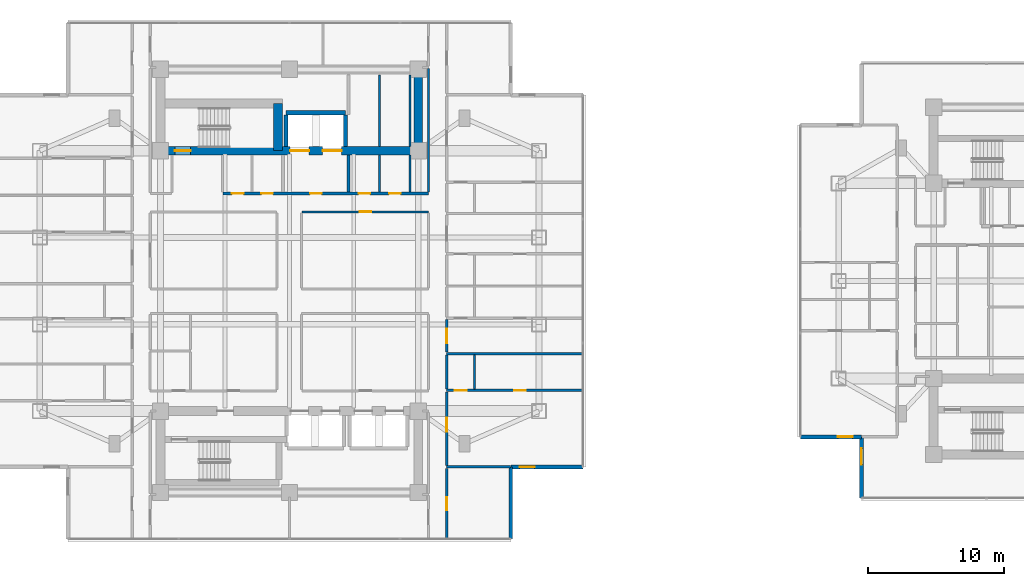
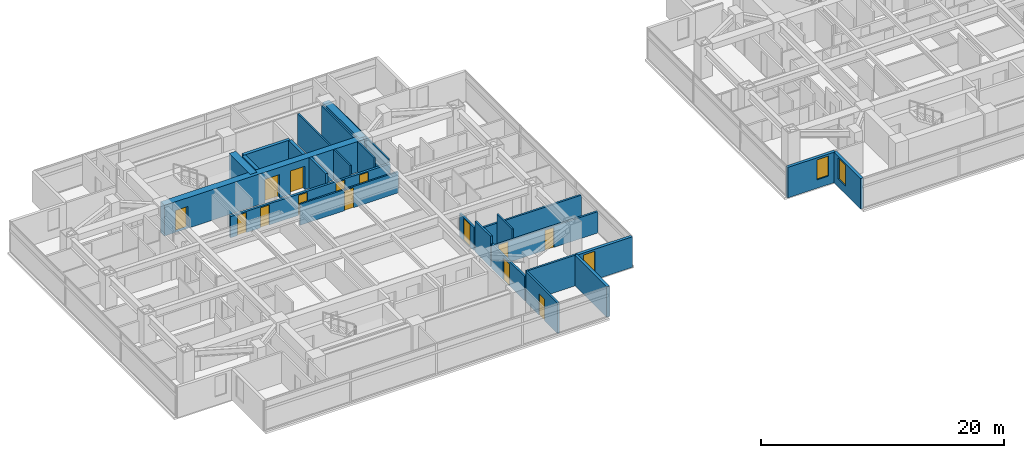
# One storey, part 14 of 25: 26 walls, 14 doors, 3 windows, 17 openings.
"""IFC4 building model written with IfcOpenShell, lengths in metres."""

import ifcopenshell
import ifcopenshell.guid

model = None  # the IFC model being written
_history = None  # IfcOwnerHistory: only IFC2X3 demands one
_inside = {}  # id of a spatial element -> (the spatial element, [elements in it])
_under = {}  # id of a project, library or spatial element -> (it, [spatial elements below it])
_declared = {}  # id of a project -> (the project, [libraries it declares])
_typed = {}  # id of a type object -> (the type object, [elements of that type])
_made_of = {}  # id of a material, layer set ... -> (it, [elements and type objects made of it])


def new_model(schema):
    """Start an empty IFC model of exactly this schema.

    Asked for "IFC4X3", IfcOpenShell would pick the latest addendum, in which some entities
    have other attributes; the version numbers below select the first issue.
    IFC2X3 requires an IfcOwnerHistory on every rooted entity: one is made here for all.
    """
    global model, _history
    if schema == "IFC4X3":
        model = ifcopenshell.file(schema_version=(4, 3, 0, 0))
    else:
        model = ifcopenshell.file(schema=schema)
    _inside.clear()
    _under.clear()
    _declared.clear()
    _typed.clear()
    _made_of.clear()
    _history = None
    if model.schema == "IFC2X3":
        org = make("IfcOrganization", Name="unknown")
        user = make(
            "IfcPersonAndOrganization",
            ThePerson=make("IfcPerson", FamilyName="unknown"),
            TheOrganization=org,
        )
        app = make(
            "IfcApplication",
            ApplicationDeveloper=org,
            Version="unknown",
            ApplicationFullName="unknown",
            ApplicationIdentifier="unknown",
        )
        _history = make(
            "IfcOwnerHistory",
            OwningUser=user,
            OwningApplication=app,
            ChangeAction="ADDED",
            CreationDate=0,
        )
    return model


def make(cls, **values):
    """One entity of the class cls with the attributes given. An attribute that is None is left unset."""
    return model.create_entity(
        cls, **{name: value for name, value in values.items() if value is not None}
    )


def rooted(cls, **values):
    """An entity with a GlobalId (a new one), such as an element, a storey or a relation."""
    return make(cls, GlobalId=ifcopenshell.guid.new(), OwnerHistory=_history, **values)


def si_unit(unit_type, name, prefix=None):
    """IfcSIUnit, for example si_unit("LENGTHUNIT", "METRE", prefix="MILLI")."""
    return make("IfcSIUnit", UnitType=unit_type, Prefix=prefix, Name=name)


def assignment(units):
    """IfcUnitAssignment: the units of a project."""
    return None if units is None else make("IfcUnitAssignment", Units=units)


def point(xyz):
    """IfcCartesianPoint."""
    return None if xyz is None else make("IfcCartesianPoint", Coordinates=xyz)


def direction(xyz):
    """IfcDirection."""
    return None if xyz is None else make("IfcDirection", DirectionRatios=xyz)


def frame(location, z_axis=None, x_axis=None):
    """IfcAxis2Placement3D, a coordinate frame: its origin and axes. An axis left out is left unset."""
    return make(
        "IfcAxis2Placement3D",
        Location=point(location),
        Axis=direction(z_axis),
        RefDirection=direction(x_axis),
    )


def frame_2d(location, x_axis=None):
    """IfcAxis2Placement2D, a coordinate frame in the plane: its origin and x axis."""
    return make(
        "IfcAxis2Placement2D", Location=point(location), RefDirection=direction(x_axis)
    )


def origin():
    """The frame at (0, 0, 0) with its axes left unset."""
    return frame((0.0, 0.0, 0.0))


def place(relative_to, where):
    """IfcLocalPlacement: puts the frame where relative to a parent placement (None: the world)."""
    return make(
        "IfcLocalPlacement", PlacementRelTo=relative_to, RelativePlacement=where
    )


def context(
    kind, dimensions, precision=None, world=None, true_north=None, identifier=None
):
    """IfcGeometricRepresentationContext, for example the 3D "Model" context."""
    return make(
        "IfcGeometricRepresentationContext",
        ContextIdentifier=identifier,
        ContextType=kind,
        CoordinateSpaceDimension=dimensions,
        Precision=precision,
        WorldCoordinateSystem=world,
        TrueNorth=true_north,
    )


def subcontext(parent, identifier, kind, view, scale=None):
    """IfcGeometricRepresentationSubContext, for example "Body" below "Model"."""
    return make(
        "IfcGeometricRepresentationSubContext",
        ContextIdentifier=identifier,
        ContextType=kind,
        ParentContext=parent,
        TargetScale=scale,
        TargetView=view,
    )


def project(units=None, contexts=None):
    """IfcProject with its units and contexts."""
    return rooted(
        "IfcProject",
        Name="project",
        RepresentationContexts=contexts,
        UnitsInContext=assignment(units),
    )


def spatial(cls, under=None, at=None, **own):
    """A site, building, storey or space (cls), placed at a placement, below another one or the project."""
    s = rooted(cls, ObjectPlacement=at, **own)
    if under is not None:
        _under.setdefault(under.id(), (under, []))[1].append(s)
    return s


def profile(cls, at=None, kind="AREA", **sizes):
    """A parametric profile (cls). Its sizes go by their IFC names, for example OverallWidth=200.0."""
    return make(cls, ProfileType=kind, Position=at, **sizes)


def rectangle(**sizes):
    """IfcRectangleProfileDef."""
    return profile("IfcRectangleProfileDef", **sizes)


def extrude(swept, where, along, depth):
    """IfcExtrudedAreaSolid: the profile swept, set in the frame where, extruded along a direction by depth."""
    return make(
        "IfcExtrudedAreaSolid",
        SweptArea=swept,
        Position=where,
        ExtrudedDirection=direction(along),
        Depth=depth,
    )


def shape(context_of_items, identifier, shape_type, items):
    """IfcShapeRepresentation: the items that make up one representation, for example the "Body"."""
    return make(
        "IfcShapeRepresentation",
        ContextOfItems=context_of_items,
        RepresentationIdentifier=identifier,
        RepresentationType=shape_type,
        Items=items,
    )


def material(Name=None, Category=None):
    """IfcMaterial."""
    return make("IfcMaterial", Name=Name, Category=Category)


def layer(
    of_material, thickness, ventilated=None, Name=None, Category=None, Priority=None
):
    """IfcMaterialLayer: one layer of a wall or slab, of a material (None: an air gap)."""
    return make(
        "IfcMaterialLayer",
        Material=of_material,
        LayerThickness=thickness,
        IsVentilated=ventilated,
        Name=Name,
        Category=Category,
        Priority=Priority,
    )


def layer_set(layers, Name=None):
    """IfcMaterialLayerSet."""
    return make("IfcMaterialLayerSet", MaterialLayers=layers, LayerSetName=Name)


def made_of(thing, what):
    """Note that an element or type object is made of a material, layer set ...; save() writes the relation."""
    if what is not None:
        _made_of.setdefault(what.id(), (what, []))[1].append(thing)
    return thing


def type_object(cls, material=None, **own):
    """A type object (cls), such as IfcWallType, which elements share."""
    return made_of(rooted(cls, **own), material)


def element(
    cls,
    number,
    at=None,
    inside=None,
    cuts=None,
    type_object=None,
    material=None,
    context=None,
    identifier="Body",
    shape_type=None,
    held_by="IfcProductDefinitionShape",
    body=None,
    shapes=None,
    **own,
):
    """One element of the class cls, such as IfcWall. Its Tag is "e" and its number.

    at: its placement. inside: the storey or other place that contains it. cuts: it is an
    opening in that element (IfcRelVoidsElement). A single representation is given by context,
    identifier, shape_type and body (its items); several are given by shapes. held_by: the class
    of the entity that holds the representations. save() writes the other relations.
    """
    e = rooted(cls, Tag="e%d" % number, ObjectPlacement=at, **own)
    if body is not None:
        shapes = [shape(context, identifier, shape_type, body)]
    if shapes is not None:
        e.Representation = make(held_by, Representations=shapes)
    if inside is not None:
        _inside.setdefault(inside.id(), (inside, []))[1].append(e)
    if cuts is not None:
        rooted(
            "IfcRelVoidsElement", RelatingBuildingElement=cuts, RelatedOpeningElement=e
        )
    if type_object is not None:
        _typed.setdefault(type_object.id(), (type_object, []))[1].append(e)
    return made_of(e, material)


def fill(opening, filler):
    """IfcRelFillsElement: the door or window that sits in an opening."""
    return rooted(
        "IfcRelFillsElement",
        RelatingOpeningElement=opening,
        RelatedBuildingElement=filler,
    )


def aggregate(whole, parts):
    """IfcRelAggregates: a whole, such as a stair, and the parts it consists of."""
    return rooted("IfcRelAggregates", RelatingObject=whole, RelatedObjects=parts)


def save(model, path):
    """Write the relations noted so far, then the file.

    IfcRelAggregates (storeys below a building ...), IfcRelContainedInSpatialStructure (elements
    in a storey), IfcRelDefinesByType, IfcRelAssociatesMaterial and IfcRelDeclares: one each for
    every whole, place, type object, material and project.
    """
    for whole, parts in _under.values():
        aggregate(whole, parts)
    for where, things in _inside.values():
        rooted(
            "IfcRelContainedInSpatialStructure",
            RelatedElements=things,
            RelatingStructure=where,
        )
    for kind, things in _typed.values():
        rooted("IfcRelDefinesByType", RelatedObjects=things, RelatingType=kind)
    for what, things in _made_of.values():
        rooted("IfcRelAssociatesMaterial", RelatedObjects=things, RelatingMaterial=what)
    for by, libraries in _declared.values():
        rooted("IfcRelDeclares", RelatingContext=by, RelatedDefinitions=libraries)
    model.write(path)


model = new_model("IFC4")

# Units and contexts
model_context = context("Model", 3, precision=1e-05, world=origin(), true_north=direction((0.0, 1.0)))
body_context = subcontext(model_context, "Body", "Model", "MODEL_VIEW")
ifc_project = project(units=[si_unit("LENGTHUNIT", "METRE"), si_unit("AREAUNIT", "SQUARE_METRE"), si_unit("VOLUMEUNIT", "CUBIC_METRE"), si_unit("PLANEANGLEUNIT", "RADIAN"), si_unit("MASSUNIT", "GRAM", prefix="KILO")], contexts=[model_context])

# Site, building, storey
site_placement = place(None, origin())
site = spatial("IfcSite", under=ifc_project, at=site_placement, CompositionType="ELEMENT")
building_placement = place(site_placement, origin())
building = spatial("IfcBuilding", under=site, at=building_placement, Name="Mirazonda Arch Towers", CompositionType="ELEMENT")
storey_placement = place(building_placement, frame((0.0, 0.0, 104.89990234375)))
storey = spatial("IfcBuildingStorey", under=building, at=storey_placement, Name="L29", CompositionType="ELEMENT", Elevation=104.89990234375)

# Wall
ifc_material_1 = material(Name="Concrete C60/75", Category="concrete")
ifc_layer_1 = layer(ifc_material_1, 0.64990234375, Name="WALL-CORE-650")
ifc_layer_set_1 = layer_set([ifc_layer_1], Name="Concrete C60/75")
wall_type_1 = type_object("IfcWallType", Name="WALL-CORE-650", PredefinedType="SHEAR", material=ifc_layer_set_1)
wall_1_placement = place(storey_placement, frame((30.0, 37.60009765625, 0.0), z_axis=(0.0, 0.0, 1.0), x_axis=(0.0, 1.0, 0.0)))
element("IfcWall", 1, at=wall_1_placement, inside=storey, type_object=wall_type_1, Name="L29 T1N-E Core Shear Wall", PredefinedType="SHEAR", context=body_context, shape_type="SweptSolid", body=[
    extrude(rectangle(XDim=6.0, YDim=0.64990234375, at=frame_2d((3.0, 0.0))), origin(), (0.0, 0.0, 1.0), 3.080078125),
])

# Wall, openings, doors
wall_2_placement = place(storey_placement, frame((11.0, 37.60009765625, 0.0), z_axis=(0.0, 0.0, 1.0), x_axis=(1.0, 0.0, 0.0)))
wall_2 = element("IfcWall", 2, at=wall_2_placement, inside=storey, type_object=wall_type_1, Name="L29 T1N-S Core Shear Wall", PredefinedType="SHEAR", context=body_context, shape_type="SweptSolid", body=[
    extrude(rectangle(XDim=19.0, YDim=0.64990234375, at=frame_2d((9.5, 0.0))), origin(), (0.0, 0.0, 1.0), 3.080078125),
])
opening_1_placement = place(wall_2_placement, frame((1.06005859375, 0.0, 0.0)))
opening_1 = element("IfcOpeningElement", 3, at=opening_1_placement, cuts=wall_2, Name="Opening DR-135", PredefinedType="OPENING", context=body_context, shape_type="SweptSolid", body=[
    extrude(rectangle(XDim=1.14990234375, YDim=2.199951171875, at=frame_2d((0.574951171875, 1.10009765625))), frame((0.0, 0.3349609375, 0.0), z_axis=(0.0, -1.0, 0.0), x_axis=(1.0, 0.0, 0.0)), (0.0, 0.0, 1.0), 0.669921875),
])
opening_2_placement = place(wall_2_placement, frame((9.550048828125, 0.0, 0.0)))
opening_2 = element("IfcOpeningElement", 4, at=opening_2_placement, cuts=wall_2, Name="Opening LD-112", PredefinedType="OPENING", context=body_context, shape_type="SweptSolid", body=[
    extrude(rectangle(XDim=1.39990234375, YDim=2.35009765625, at=frame_2d((0.699951171875, 1.175048828125))), frame((0.0, 0.3349609375, 0.0), z_axis=(0.0, -1.0, 0.0), x_axis=(1.0, 0.0, 0.0)), (0.0, 0.0, 1.0), 0.669921875),
])
opening_3_placement = place(wall_2_placement, frame((11.949951171875, 0.0, 0.0)))
opening_3 = element("IfcOpeningElement", 5, at=opening_3_placement, cuts=wall_2, Name="Opening LD-112", PredefinedType="OPENING", context=body_context, shape_type="SweptSolid", body=[
    extrude(rectangle(XDim=1.39990234375, YDim=2.35009765625, at=frame_2d((0.699951171875, 1.175048828125))), frame((0.0, 0.3349609375, 0.0), z_axis=(0.0, -1.0, 0.0), x_axis=(1.0, 0.0, 0.0)), (0.0, 0.0, 1.0), 0.669921875),
])
ifc_material_2 = material(Name="Architectural Brushed Steel S355", Category="steel")
door_type_1 = type_object("IfcDoorType", Name="DOOR-LIFT-FFL-1400", OperationType="NOTDEFINED", PredefinedType="DOOR", material=ifc_material_2)
door_1_placement = place(opening_2_placement, origin())
door_1 = element("IfcDoor", 6, at=door_1_placement, inside=storey, type_object=door_type_1, Name="L29 Lift Landing Sliding Door FFL-T1", OperationType="DOUBLE_DOOR_SLIDING", OverallHeight=2.35009765625, OverallWidth=1.39990234375, PredefinedType="DOOR", context=body_context, shape_type="SweptSolid", body=[
    extrude(rectangle(XDim=1.39990234375, YDim=2.35009765625, at=frame_2d((0.699951171875, 1.175048828125))), frame((0.0, 0.02490234375, 0.0), z_axis=(0.0, -1.0, 0.0), x_axis=(1.0, 0.0, 0.0)), (0.0, 0.0, 1.0), 0.050048828125),
])
fill(opening_2, door_1)
door_2_placement = place(opening_3_placement, origin())
door_2 = element("IfcDoor", 7, at=door_2_placement, inside=storey, type_object=door_type_1, Name="L29 Lift Landing Sliding Door SVL-T1", OperationType="DOUBLE_DOOR_SLIDING", OverallHeight=2.35009765625, OverallWidth=1.39990234375, PredefinedType="DOOR", context=body_context, shape_type="SweptSolid", body=[
    extrude(rectangle(XDim=1.39990234375, YDim=2.35009765625, at=frame_2d((0.699951171875, 1.175048828125))), frame((0.0, 0.02490234375, 0.0), z_axis=(0.0, -1.0, 0.0), x_axis=(1.0, 0.0, 0.0)), (0.0, 0.0, 1.0), 0.050048828125),
])
fill(opening_3, door_2)
door_type_2 = type_object("IfcDoorType", Name="DOOR-STAIR-FD90-1150", OperationType="NOTDEFINED", PredefinedType="DOOR", material=ifc_material_2)
door_3_placement = place(opening_1_placement, origin())
door_3 = element("IfcDoor", 8, at=door_3_placement, inside=storey, type_object=door_type_2, Name="L29 Protected Exit Stair North Door", OperationType="SINGLE_SWING_RIGHT", OverallHeight=2.199951171875, OverallWidth=1.14990234375, PredefinedType="DOOR", context=body_context, shape_type="SweptSolid", body=[
    extrude(rectangle(XDim=1.14990234375, YDim=2.199951171875, at=frame_2d((0.574951171875, 1.10009765625))), frame((0.0, 0.02490234375, 0.0), z_axis=(0.0, -1.0, 0.0), x_axis=(1.0, 0.0, 0.0)), (0.0, 0.0, 1.0), 0.050048828125),
])
fill(opening_1, door_3)

# Wall
wall_3_placement = place(storey_placement, frame((19.64990234375, 37.60009765625, 0.0), z_axis=(0.0, 0.0, 1.0), x_axis=(0.0, 1.0, 0.0)))
element("IfcWall", 9, at=wall_3_placement, inside=storey, type_object=wall_type_1, Name="L29 T1N-STE Core Shear Wall", PredefinedType="SHEAR", context=body_context, shape_type="SweptSolid", body=[
    extrude(rectangle(XDim=3.492919921875, YDim=0.64990234375, at=frame_2d((1.74658203125, 0.0))), origin(), (0.0, 0.0, 1.0), 3.080078125),
])

# Wall, opening, window
ifc_material_3 = material(Name="Precast Concrete C40/50", Category="concrete")
ifc_layer_2 = layer(ifc_material_3, 0.280029296875, Name="WALL-EXT-WALL-280")
ifc_layer_set_2 = layer_set([ifc_layer_2], Name="Precast Concrete C40/50")
wall_type_2 = type_object("IfcWallType", Name="WALL-EXT-WALL-280", PredefinedType="SOLIDWALL", material=ifc_layer_set_2)
wall_4_placement = place(storey_placement, frame((36.824951171875, 14.284912109375, 0.0), z_axis=(0.0, 0.0, 1.0), x_axis=(1.0, 0.0, 0.0)))
wall_4 = element("IfcWall", 10, at=wall_4_placement, inside=storey, type_object=wall_type_2, Name="L29 T1 Corner Notch Return Wall WL-L29-T1-CSE1", PredefinedType="SOLIDWALL", context=body_context, shape_type="SweptSolid", body=[
    extrude(rectangle(XDim=5.304931640625, YDim=0.280029296875, at=frame_2d((2.65234375, 0.0))), origin(), (0.0, 0.0, 1.0), 3.06005859375),
])
opening_4_placement = place(wall_4_placement, frame((0.64990234375, 0.0, 0.85009765625)))
opening_4 = element("IfcOpeningElement", 11, at=opening_4_placement, cuts=wall_4, Name="Opening WN-108", PredefinedType="OPENING", context=body_context, shape_type="SweptSolid", body=[
    extrude(rectangle(XDim=1.10009765625, YDim=2.0, at=frame_2d((0.550048828125, 1.0))), frame((0.0, 0.14990234375, 0.0), z_axis=(0.0, -1.0, 0.0), x_axis=(1.0, 0.0, 0.0)), (0.0, 0.0, 1.0), 0.300048828125),
])
ifc_material_4 = material(Name="Insulated Low-E Solar Glass", Category="glass")
window_type_1 = type_object("IfcWindowType", Name="WIN-NOTCH-1100x2000", PartitioningType="SINGLE_PANEL", PredefinedType="WINDOW", material=ifc_material_4)
window_1_placement = place(opening_4_placement, origin())
window_1 = element("IfcWindow", 12, at=window_1_placement, inside=storey, type_object=window_type_1, Name="L29 Punched Facade Window WN-L29-T1-CSE1", OverallHeight=2.0, OverallWidth=1.10009765625, PartitioningType="SINGLE_PANEL", PredefinedType="WINDOW", context=body_context, shape_type="SweptSolid", body=[
    extrude(rectangle(XDim=1.10009765625, YDim=2.0, at=frame_2d((0.550048828125, 1.0))), frame((0.0, 0.030029296875, 0.0), z_axis=(0.0, -1.0, 0.0), x_axis=(1.0, 0.0, 0.0)), (0.0, 0.0, 1.0), 0.06005859375),
])
fill(opening_4, window_1)

# Wall
wall_5_placement = place(storey_placement, frame((36.824951171875, 8.97998046875, 0.0), z_axis=(0.0, 0.0, 1.0), x_axis=(0.0, 1.0, 0.0)))
element("IfcWall", 13, at=wall_5_placement, inside=storey, type_object=wall_type_2, Name="L29 T1 Corner Notch Return Wall WL-L29-T1-CSE2", PredefinedType="SOLIDWALL", context=body_context, shape_type="SweptSolid", body=[
    extrude(rectangle(XDim=5.304931640625, YDim=0.280029296875, at=frame_2d((2.65234375, 0.0))), origin(), (0.0, 0.0, 1.0), 3.06005859375),
])

# Wall, opening, window
wall_6_placement = place(storey_placement, frame((62.683837890625, 16.502197265625, 0.0), z_axis=(0.0, 0.0, 1.0), x_axis=(0.0, -1.0, 0.0)))
wall_6 = element("IfcWall", 14, at=wall_6_placement, inside=storey, type_object=wall_type_2, Name="L29 T2 Notched SW Corner Wall WL-L29-T2-CSW", PredefinedType="SOLIDWALL", context=body_context, shape_type="SweptSolid", body=[
    extrude(rectangle(XDim=4.51611328125, YDim=0.280029296875, at=frame_2d((2.258056640625, 0.0))), origin(), (0.0, 0.0, 1.0), 3.06005859375),
])
opening_5_placement = place(wall_6_placement, frame((0.85009765625, 0.0, 0.81005859375)))
opening_5 = element("IfcOpeningElement", 15, at=opening_5_placement, cuts=wall_6, Name="Opening WN-122", PredefinedType="OPENING", context=body_context, shape_type="SweptSolid", body=[
    extrude(rectangle(XDim=1.199951171875, YDim=2.10009765625, at=frame_2d((0.60009765625, 1.050048828125))), frame((0.0, 0.14990234375, 0.0), z_axis=(0.0, -1.0, 0.0), x_axis=(1.0, 0.0, 0.0)), (0.0, 0.0, 1.0), 0.300048828125),
])
window_type_2 = type_object("IfcWindowType", Name="WIN-HTL-1200x2100", PartitioningType="SINGLE_PANEL", PredefinedType="WINDOW", material=ifc_material_4)
window_2_placement = place(opening_5_placement, origin())
window_2 = element("IfcWindow", 16, at=window_2_placement, inside=storey, type_object=window_type_2, Name="L29 Punched Facade Window WN-L29-T2-CSW", OverallHeight=2.10009765625, OverallWidth=1.199951171875, PartitioningType="SINGLE_PANEL", PredefinedType="WINDOW", context=body_context, shape_type="SweptSolid", body=[
    extrude(rectangle(XDim=1.199951171875, YDim=2.10009765625, at=frame_2d((0.60009765625, 1.050048828125))), frame((0.0, 0.030029296875, 0.0), z_axis=(0.0, -1.0, 0.0), x_axis=(1.0, 0.0, 0.0)), (0.0, 0.0, 1.0), 0.06005859375),
])
fill(opening_5, window_2)

wall_7_placement = place(storey_placement, frame((58.16748046875, 16.502197265625, 0.0), z_axis=(0.0, 0.0, 1.0), x_axis=(1.0, 0.0, 0.0)))
wall_7 = element("IfcWall", 17, at=wall_7_placement, inside=storey, type_object=wall_type_2, Name="L29 T2 Corner Notch Return Wall WL-L29-T2-CSW2", PredefinedType="SOLIDWALL", context=body_context, shape_type="SweptSolid", body=[
    extrude(rectangle(XDim=4.516357421875, YDim=0.280029296875, at=frame_2d((2.25830078125, 0.0))), origin(), (0.0, 0.0, 1.0), 3.06005859375),
])
opening_6_placement = place(wall_7_placement, frame((2.76611328125, 0.0, 0.85009765625)))
opening_6 = element("IfcOpeningElement", 18, at=opening_6_placement, cuts=wall_7, Name="Opening WN-108", PredefinedType="OPENING", context=body_context, shape_type="SweptSolid", body=[
    extrude(rectangle(XDim=1.10009765625, YDim=2.0, at=frame_2d((0.550048828125, 1.0))), frame((0.0, 0.14990234375, 0.0), z_axis=(0.0, -1.0, 0.0), x_axis=(1.0, 0.0, 0.0)), (0.0, 0.0, 1.0), 0.300048828125),
])
window_3_placement = place(opening_6_placement, origin())
window_3 = element("IfcWindow", 19, at=window_3_placement, inside=storey, type_object=window_type_1, Name="L29 Punched Facade Window WN-L29-T2-CSW2", OverallHeight=2.0, OverallWidth=1.10009765625, PartitioningType="SINGLE_PANEL", PredefinedType="WINDOW", context=body_context, shape_type="SweptSolid", body=[
    extrude(rectangle(XDim=1.10009765625, YDim=2.0, at=frame_2d((0.550048828125, 1.0))), frame((0.0, 0.030029296875, 0.0), z_axis=(0.0, -1.0, 0.0), x_axis=(1.0, 0.0, 0.0)), (0.0, 0.0, 1.0), 0.06005859375),
])
fill(opening_6, window_3)

# Wall, openings, doors
ifc_material_5 = material(Name="Concrete C40/50", Category="concrete")
ifc_layer_3 = layer(ifc_material_5, 0.219970703125, Name="WALL-FFL-220")
ifc_layer_set_3 = layer_set([ifc_layer_3], Name="Concrete C40/50")
wall_type_3 = type_object("IfcWallType", Name="WALL-FFL-220", PredefinedType="SOLIDWALL", material=ifc_layer_set_3)
wall_8_placement = place(storey_placement, frame((15.590087890625, 34.449951171875, 0.0), z_axis=(0.0, 0.0, 1.0), x_axis=(1.0, 0.0, 0.0)))
wall_8 = element("IfcWall", 20, at=wall_8_placement, inside=storey, type_object=wall_type_3, Name="L29 Interior Partition 053", PredefinedType="SOLIDWALL", context=body_context, shape_type="SweptSolid", body=[
    extrude(rectangle(XDim=15.169921875, YDim=0.219970703125, at=frame_2d((7.5849609375, 0.0))), origin(), (0.0, 0.0, 1.0), 2.1240234375),
])
opening_7_placement = place(wall_8_placement, frame((6.43505859375, 0.0, 0.0)))
opening_7 = element("IfcOpeningElement", 21, at=opening_7_placement, cuts=wall_8, Name="Opening DR-128", PredefinedType="OPENING", context=body_context, shape_type="SweptSolid", body=[
    extrude(rectangle(XDim=0.85009765625, YDim=2.010009765625, at=frame_2d((0.425048828125, 1.0048828125))), frame((0.0, 0.119873046875, 0.0), z_axis=(0.0, -1.0, 0.0), x_axis=(1.0, 0.0, 0.0)), (0.0, 0.0, 1.0), 0.239990234375),
])
opening_8_placement = place(wall_8_placement, frame((10.010009765625, 0.0, 0.0)))
opening_8 = element("IfcOpeningElement", 22, at=opening_8_placement, cuts=wall_8, Name="Opening DR-128", PredefinedType="OPENING", context=body_context, shape_type="SweptSolid", body=[
    extrude(rectangle(XDim=0.85009765625, YDim=2.010009765625, at=frame_2d((0.425048828125, 1.0048828125))), frame((0.0, 0.119873046875, 0.0), z_axis=(0.0, -1.0, 0.0), x_axis=(1.0, 0.0, 0.0)), (0.0, 0.0, 1.0), 0.239990234375),
])
opening_9_placement = place(wall_8_placement, frame((12.260009765625, 0.0, 0.0)))
opening_9 = element("IfcOpeningElement", 23, at=opening_9_placement, cuts=wall_8, Name="Opening DR-128", PredefinedType="OPENING", context=body_context, shape_type="SweptSolid", body=[
    extrude(rectangle(XDim=0.85009765625, YDim=2.010009765625, at=frame_2d((0.425048828125, 1.0048828125))), frame((0.0, 0.119873046875, 0.0), z_axis=(0.0, -1.0, 0.0), x_axis=(1.0, 0.0, 0.0)), (0.0, 0.0, 1.0), 0.239990234375),
])
opening_10_placement = place(wall_8_placement, frame((0.675048828125, 0.0, 0.0)))
opening_10 = element("IfcOpeningElement", 24, at=opening_10_placement, cuts=wall_8, Name="Opening DR-128", PredefinedType="OPENING", context=body_context, shape_type="SweptSolid", body=[
    extrude(rectangle(XDim=0.85009765625, YDim=2.010009765625, at=frame_2d((0.425048828125, 1.0048828125))), frame((0.0, 0.119873046875, 0.0), z_axis=(0.0, -1.0, 0.0), x_axis=(1.0, 0.0, 0.0)), (0.0, 0.0, 1.0), 0.239990234375),
])
opening_11_placement = place(wall_8_placement, frame((2.8349609375, 0.0, 0.0)))
opening_11 = element("IfcOpeningElement", 25, at=opening_11_placement, cuts=wall_8, Name="Opening DR-128", PredefinedType="OPENING", context=body_context, shape_type="SweptSolid", body=[
    extrude(rectangle(XDim=0.85009765625, YDim=2.010009765625, at=frame_2d((0.425048828125, 1.0048828125))), frame((0.0, 0.119873046875, 0.0), z_axis=(0.0, -1.0, 0.0), x_axis=(1.0, 0.0, 0.0)), (0.0, 0.0, 1.0), 0.239990234375),
])
door_type_3 = type_object("IfcDoorType", Name="DOOR-RISER-FD60-850", OperationType="NOTDEFINED", PredefinedType="DOOR", material=ifc_material_2)
door_4_placement = place(opening_7_placement, origin())
door_4 = element("IfcDoor", 26, at=door_4_placement, inside=storey, type_object=door_type_3, Name="L29 Firefighting Lift Lobby Door", OperationType="SINGLE_SWING_LEFT", OverallHeight=2.010009765625, OverallWidth=0.85009765625, PredefinedType="DOOR", context=body_context, shape_type="SweptSolid", body=[
    extrude(rectangle(XDim=0.85009765625, YDim=2.010009765625, at=frame_2d((0.425048828125, 1.0048828125))), frame((0.0, 0.02490234375, 0.0), z_axis=(0.0, -1.0, 0.0), x_axis=(1.0, 0.0, 0.0)), (0.0, 0.0, 1.0), 0.050048828125),
])
fill(opening_7, door_4)
door_5_placement = place(opening_8_placement, origin())
door_5 = element("IfcDoor", 27, at=door_5_placement, inside=storey, type_object=door_type_3, Name="L29 Executive Reading Library Door", OperationType="SINGLE_SWING_RIGHT", OverallHeight=2.010009765625, OverallWidth=0.85009765625, PredefinedType="DOOR", context=body_context, shape_type="SweptSolid", body=[
    extrude(rectangle(XDim=0.85009765625, YDim=2.010009765625, at=frame_2d((0.425048828125, 1.0048828125))), frame((0.0, 0.02490234375, 0.0), z_axis=(0.0, -1.0, 0.0), x_axis=(1.0, 0.0, 0.0)), (0.0, 0.0, 1.0), 0.050048828125),
])
fill(opening_8, door_5)
door_6_placement = place(opening_9_placement, origin())
door_6 = element("IfcDoor", 28, at=door_6_placement, inside=storey, type_object=door_type_3, Name="L29 Private Quiet Study Door", OperationType="SINGLE_SWING_LEFT", OverallHeight=2.010009765625, OverallWidth=0.85009765625, PredefinedType="DOOR", context=body_context, shape_type="SweptSolid", body=[
    extrude(rectangle(XDim=0.85009765625, YDim=2.010009765625, at=frame_2d((0.425048828125, 1.0048828125))), frame((0.0, 0.02490234375, 0.0), z_axis=(0.0, -1.0, 0.0), x_axis=(1.0, 0.0, 0.0)), (0.0, 0.0, 1.0), 0.050048828125),
])
fill(opening_9, door_6)
door_7_placement = place(opening_10_placement, origin())
door_7 = element("IfcDoor", 29, at=door_7_placement, inside=storey, type_object=door_type_3, Name="L29 Electrical Room Door", OperationType="SINGLE_SWING_RIGHT", OverallHeight=2.010009765625, OverallWidth=0.85009765625, PredefinedType="DOOR", context=body_context, shape_type="SweptSolid", body=[
    extrude(rectangle(XDim=0.85009765625, YDim=2.010009765625, at=frame_2d((0.425048828125, 1.0048828125))), frame((0.0, 0.02490234375, 0.0), z_axis=(0.0, -1.0, 0.0), x_axis=(1.0, 0.0, 0.0)), (0.0, 0.0, 1.0), 0.050048828125),
])
fill(opening_10, door_7)
door_8_placement = place(opening_11_placement, origin())
door_8 = element("IfcDoor", 30, at=door_8_placement, inside=storey, type_object=door_type_3, Name="L29 Cleaners & Housekeeping Store Door", OperationType="SINGLE_SWING_LEFT", OverallHeight=2.010009765625, OverallWidth=0.85009765625, PredefinedType="DOOR", context=body_context, shape_type="SweptSolid", body=[
    extrude(rectangle(XDim=0.85009765625, YDim=2.010009765625, at=frame_2d((0.425048828125, 1.0048828125))), frame((0.0, 0.02490234375, 0.0), z_axis=(0.0, -1.0, 0.0), x_axis=(1.0, 0.0, 0.0)), (0.0, 0.0, 1.0), 0.050048828125),
])
fill(opening_11, door_8)

# Wall
wall_9_placement = place(storey_placement, frame((24.85009765625, 34.570068359375, 0.0), z_axis=(0.0, 0.0, 1.0), x_axis=(0.0, 1.0, 0.0)))
element("IfcWall", 31, at=wall_9_placement, inside=storey, type_object=wall_type_3, Name="L29 Interior Partition 107", PredefinedType="SOLIDWALL", context=body_context, shape_type="SweptSolid", body=[
    extrude(rectangle(XDim=2.7099609375, YDim=0.219970703125, at=frame_2d((1.35498046875, 0.0))), origin(), (0.0, 0.0, 1.0), 3.080078125),
])

# Wall, opening, door
ifc_material_6 = material(Name="Fire-Rated Gypsum Stud Partition")
ifc_layer_4 = layer(ifc_material_6, 0.14990234375, Name="WALL-PART-CORR-150")
ifc_layer_set_4 = layer_set([ifc_layer_4], Name="Fire-Rated Gypsum Stud Partition")
wall_type_4 = type_object("IfcWallType", Name="WALL-PART-CORR-150", PredefinedType="PARTITIONING", material=ifc_layer_set_4)
wall_10_placement = place(storey_placement, frame((21.43994140625, 33.10009765625, 0.0), z_axis=(0.0, 0.0, 1.0), x_axis=(1.0, 0.0, 0.0)))
wall_10 = element("IfcWall", 32, at=wall_10_placement, inside=storey, type_object=wall_type_4, Name="L29 Interior Partition 049", PredefinedType="PARTITIONING", context=body_context, shape_type="SweptSolid", body=[
    extrude(rectangle(XDim=9.320068359375, YDim=0.14990234375, at=frame_2d((4.66015625, 0.0))), origin(), (0.0, 0.0, 1.0), 2.1240234375),
])
opening_12_placement = place(wall_10_placement, frame((4.235107421875, 0.0, 0.0)))
opening_12 = element("IfcOpeningElement", 33, at=opening_12_placement, cuts=wall_10, Name="Opening DR-128", PredefinedType="OPENING", context=body_context, shape_type="SweptSolid", body=[
    extrude(rectangle(XDim=0.85009765625, YDim=2.010009765625, at=frame_2d((0.425048828125, 1.0048828125))), frame((0.0, 0.0849609375, 0.0), z_axis=(0.0, -1.0, 0.0), x_axis=(1.0, 0.0, 0.0)), (0.0, 0.0, 1.0), 0.169921875),
])
door_9_placement = place(opening_12_placement, origin())
door_9 = element("IfcDoor", 34, at=door_9_placement, inside=storey, type_object=door_type_3, Name="L29 L29 North-East Cruciform Study Door", OperationType="SINGLE_SWING_RIGHT", OverallHeight=2.010009765625, OverallWidth=0.85009765625, PredefinedType="DOOR", context=body_context, shape_type="SweptSolid", body=[
    extrude(rectangle(XDim=0.85009765625, YDim=2.010009765625, at=frame_2d((0.425048828125, 1.0048828125))), frame((0.0, 0.02490234375, 0.0), z_axis=(0.0, -1.0, 0.0), x_axis=(1.0, 0.0, 0.0)), (0.0, 0.0, 1.0), 0.050048828125),
])
fill(opening_12, door_9)

# Walls
wall_11_placement = place(storey_placement, frame((27.14990234375, 34.570068359375, 0.0), z_axis=(0.0, 0.0, 1.0), x_axis=(0.0, 1.0, 0.0)))
element("IfcWall", 35, at=wall_11_placement, inside=storey, type_object=wall_type_4, Name="L29 Interior Partition 109", PredefinedType="PARTITIONING", context=body_context, shape_type="SweptSolid", body=[
    extrude(rectangle(XDim=2.7099609375, YDim=0.14990234375, at=frame_2d((1.35498046875, 0.0))), origin(), (0.0, 0.0, 1.0), 3.080078125),
])
wall_12_placement = place(storey_placement, frame((27.14990234375, 37.919921875, 0.0), z_axis=(0.0, 0.0, 1.0), x_axis=(0.0, 1.0, 0.0)))
element("IfcWall", 36, at=wall_12_placement, inside=storey, type_object=wall_type_4, Name="L29 Interior Partition 110", PredefinedType="PARTITIONING", context=body_context, shape_type="SweptSolid", body=[
    extrude(rectangle(XDim=5.280029296875, YDim=0.14990234375, at=frame_2d((2.64013671875, 0.0))), origin(), (0.0, 0.0, 1.0), 3.080078125),
])
wall_13_placement = place(storey_placement, frame((29.39990234375, 34.570068359375, 0.0), z_axis=(0.0, 0.0, 1.0), x_axis=(0.0, 1.0, 0.0)))
element("IfcWall", 37, at=wall_13_placement, inside=storey, type_object=wall_type_4, Name="L29 Interior Partition 112", PredefinedType="PARTITIONING", context=body_context, shape_type="SweptSolid", body=[
    extrude(rectangle(XDim=2.7099609375, YDim=0.14990234375, at=frame_2d((1.35498046875, 0.0))), origin(), (0.0, 0.0, 1.0), 3.080078125),
])
wall_14_placement = place(storey_placement, frame((29.39990234375, 37.919921875, 0.0), z_axis=(0.0, 0.0, 1.0), x_axis=(0.0, 1.0, 0.0)))
element("IfcWall", 38, at=wall_14_placement, inside=storey, type_object=wall_type_4, Name="L29 Interior Partition 113", PredefinedType="PARTITIONING", context=body_context, shape_type="SweptSolid", body=[
    extrude(rectangle(XDim=5.280029296875, YDim=0.14990234375, at=frame_2d((2.64013671875, 0.0))), origin(), (0.0, 0.0, 1.0), 3.080078125),
])
wall_15_placement = place(storey_placement, frame((30.760009765625, 34.570068359375, 0.0), z_axis=(0.0, 0.0, 1.0), x_axis=(0.0, 1.0, 0.0)))
element("IfcWall", 39, at=wall_15_placement, inside=storey, type_object=wall_type_4, Name="L29 Interior Partition 118", PredefinedType="PARTITIONING", context=body_context, shape_type="SweptSolid", body=[
    extrude(rectangle(XDim=9.094970703125, YDim=0.14990234375, at=frame_2d((4.54736328125, 0.0))), origin(), (0.0, 0.0, 1.0), 2.4560546875),
])
ifc_material_7 = material(Name="Fire-Rated Gypsum Twin-Stud Assembly")
ifc_layer_5 = layer(ifc_material_7, 0.179931640625, Name="WALL-PART-DEMISE-180")
ifc_layer_set_5 = layer_set([ifc_layer_5], Name="Fire-Rated Gypsum Twin-Stud Assembly")
wall_type_5 = type_object("IfcWallType", Name="WALL-PART-DEMISE-180", PredefinedType="PARTITIONING", material=ifc_layer_set_5)
wall_16_placement = place(storey_placement, frame((32.10009765625, 14.284912109375, 0.0), z_axis=(0.0, 0.0, 1.0), x_axis=(1.0, 0.0, 0.0)))
element("IfcWall", 40, at=wall_16_placement, inside=storey, type_object=wall_type_5, Name="L29 Interior Partition 005", PredefinedType="PARTITIONING", context=body_context, shape_type="SweptSolid", body=[
    extrude(rectangle(XDim=4.704833984375, YDim=0.179931640625, at=frame_2d((2.3525390625, 0.0))), origin(), (0.0, 0.0, 1.0), 3.080078125),
])

# Wall, openings, doors
wall_17_placement = place(storey_placement, frame((32.10009765625, 19.924072265625, 0.0), z_axis=(0.0, 0.0, 1.0), x_axis=(1.0, 0.0, 0.0)))
wall_17 = element("IfcWall", 41, at=wall_17_placement, inside=storey, type_object=wall_type_5, Name="L29 Interior Partition 018", PredefinedType="PARTITIONING", context=body_context, shape_type="SweptSolid", body=[
    extrude(rectangle(XDim=10.02978515625, YDim=0.179931640625, at=frame_2d((5.014892578125, 0.0))), origin(), (0.0, 0.0, 1.0), 2.14501953125),
])
opening_13_placement = place(wall_17_placement, frame((4.989990234375, 0.0, 0.0)))
opening_13 = element("IfcOpeningElement", 42, at=opening_13_placement, cuts=wall_17, Name="Opening DR-128", PredefinedType="OPENING", context=body_context, shape_type="SweptSolid", body=[
    extrude(rectangle(XDim=0.85009765625, YDim=2.010009765625, at=frame_2d((0.425048828125, 1.0048828125))), frame((0.0, 0.099853515625, 0.0), z_axis=(0.0, -1.0, 0.0), x_axis=(1.0, 0.0, 0.0)), (0.0, 0.0, 1.0), 0.199951171875),
])
opening_14_placement = place(wall_17_placement, frame((0.590087890625, 0.0, 0.0)))
opening_14 = element("IfcOpeningElement", 43, at=opening_14_placement, cuts=wall_17, Name="Opening DR-120", PredefinedType="OPENING", context=body_context, shape_type="SweptSolid", body=[
    extrude(rectangle(XDim=0.89990234375, YDim=2.10009765625, at=frame_2d((0.449951171875, 1.050048828125))), frame((0.0, 0.099853515625, 0.0), z_axis=(0.0, -1.0, 0.0), x_axis=(1.0, 0.0, 0.0)), (0.0, 0.0, 1.0), 0.199951171875),
])
door_10_placement = place(opening_13_placement, origin())
door_10 = element("IfcDoor", 44, at=door_10_placement, inside=storey, type_object=door_type_3, Name="L29 Guestroom Study 1 Door", OperationType="SINGLE_SWING_RIGHT", OverallHeight=2.010009765625, OverallWidth=0.85009765625, PredefinedType="DOOR", context=body_context, shape_type="SweptSolid", body=[
    extrude(rectangle(XDim=0.85009765625, YDim=2.010009765625, at=frame_2d((0.425048828125, 1.0048828125))), frame((0.0, 0.02490234375, 0.0), z_axis=(0.0, -1.0, 0.0), x_axis=(1.0, 0.0, 0.0)), (0.0, 0.0, 1.0), 0.050048828125),
])
fill(opening_13, door_10)
door_type_4 = type_object("IfcDoorType", Name="DOOR-WC-900", OperationType="NOTDEFINED", PredefinedType="DOOR", material=ifc_material_2)
door_11_placement = place(opening_14_placement, origin())
door_11 = element("IfcDoor", 45, at=door_11_placement, inside=storey, type_object=door_type_4, Name="L29 En-Suite Bathroom 1 Door", OperationType="SINGLE_SWING_LEFT", OverallHeight=2.10009765625, OverallWidth=0.89990234375, PredefinedType="DOOR", context=body_context, shape_type="SweptSolid", body=[
    extrude(rectangle(XDim=0.89990234375, YDim=2.10009765625, at=frame_2d((0.449951171875, 1.050048828125))), frame((0.0, 0.02490234375, 0.0), z_axis=(0.0, -1.0, 0.0), x_axis=(1.0, 0.0, 0.0)), (0.0, 0.0, 1.0), 0.050048828125),
])
fill(opening_14, door_11)

# Wall
wall_18_placement = place(storey_placement, frame((32.10009765625, 22.64404296875, 0.0), z_axis=(0.0, 0.0, 1.0), x_axis=(1.0, 0.0, 0.0)))
element("IfcWall", 46, at=wall_18_placement, inside=storey, type_object=wall_type_5, Name="L29 Interior Partition 025", PredefinedType="PARTITIONING", context=body_context, shape_type="SweptSolid", body=[
    extrude(rectangle(XDim=10.02978515625, YDim=0.179931640625, at=frame_2d((5.014892578125, 0.0))), origin(), (0.0, 0.0, 1.0), 2.14501953125),
])

# Wall, opening, door
wall_19_placement = place(storey_placement, frame((32.10009765625, 8.97998046875, 0.0), z_axis=(0.0, 0.0, 1.0), x_axis=(0.0, 1.0, 0.0)))
wall_19 = element("IfcWall", 47, at=wall_19_placement, inside=storey, type_object=wall_type_5, Name="L29 Interior Partition 120", PredefinedType="PARTITIONING", context=body_context, shape_type="SweptSolid", body=[
    extrude(rectangle(XDim=5.205078125, YDim=0.179931640625, at=frame_2d((2.6025390625, 0.0))), origin(), (0.0, 0.0, 1.0), 3.080078125),
])
opening_15_placement = place(wall_19_placement, frame((2.12744140625, 0.0, 0.0)))
opening_15 = element("IfcOpeningElement", 48, at=opening_15_placement, cuts=wall_19, Name="Opening DR-104", PredefinedType="OPENING", context=body_context, shape_type="SweptSolid", body=[
    extrude(rectangle(XDim=0.949951171875, YDim=2.14990234375, at=frame_2d((0.47509765625, 1.074951171875))), frame((0.0, 0.099853515625, 0.0), z_axis=(0.0, -1.0, 0.0), x_axis=(1.0, 0.0, 0.0)), (0.0, 0.0, 1.0), 0.199951171875),
])
door_type_5 = type_object("IfcDoorType", Name="DOOR-ROOM-950", OperationType="NOTDEFINED", PredefinedType="DOOR", material=ifc_material_2)
door_12_placement = place(opening_15_placement, origin())
door_12 = element("IfcDoor", 49, at=door_12_placement, inside=storey, type_object=door_type_5, Name="L29 South Horizon Lounge Alcove East Door", OperationType="SINGLE_SWING_RIGHT", OverallHeight=2.14990234375, OverallWidth=0.949951171875, PredefinedType="DOOR", context=body_context, shape_type="SweptSolid", body=[
    extrude(rectangle(XDim=0.949951171875, YDim=2.14990234375, at=frame_2d((0.47509765625, 1.074951171875))), frame((0.0, 0.02490234375, 0.0), z_axis=(0.0, -1.0, 0.0), x_axis=(1.0, 0.0, 0.0)), (0.0, 0.0, 1.0), 0.050048828125),
])
fill(opening_15, door_12)

wall_20_placement = place(storey_placement, frame((32.10009765625, 14.385009765625, 0.0), z_axis=(0.0, 0.0, 1.0), x_axis=(0.0, 1.0, 0.0)))
wall_20 = element("IfcWall", 50, at=wall_20_placement, inside=storey, type_object=wall_type_5, Name="L29 Interior Partition 121", PredefinedType="PARTITIONING", context=body_context, shape_type="SweptSolid", body=[
    extrude(rectangle(XDim=5.43896484375, YDim=0.179931640625, at=frame_2d((2.719482421875, 0.0))), origin(), (0.0, 0.0, 1.0), 2.4560546875),
])
opening_16_placement = place(wall_20_placement, frame((2.494384765625, 0.0, 0.0)))
opening_16 = element("IfcOpeningElement", 51, at=opening_16_placement, cuts=wall_20, Name="Opening DR-121", PredefinedType="OPENING", context=body_context, shape_type="SweptSolid", body=[
    extrude(rectangle(XDim=1.050048828125, YDim=2.199951171875, at=frame_2d((0.52490234375, 1.10009765625))), frame((0.0, 0.099853515625, 0.0), z_axis=(0.0, -1.0, 0.0), x_axis=(1.0, 0.0, 0.0)), (0.0, 0.0, 1.0), 0.199951171875),
])
door_type_6 = type_object("IfcDoorType", Name="DOOR-SUITE-FD60-1050", OperationType="NOTDEFINED", PredefinedType="DOOR", material=ifc_material_2)
door_13_placement = place(opening_16_placement, origin())
door_13 = element("IfcDoor", 52, at=door_13_placement, inside=storey, type_object=door_type_6, Name="L29 King Hotel Guestroom 1 Door", OperationType="SINGLE_SWING_LEFT", OverallHeight=2.199951171875, OverallWidth=1.050048828125, PredefinedType="DOOR", context=body_context, shape_type="SweptSolid", body=[
    extrude(rectangle(XDim=1.050048828125, YDim=2.199951171875, at=frame_2d((0.52490234375, 1.10009765625))), frame((0.0, 0.02490234375, 0.0), z_axis=(0.0, -1.0, 0.0), x_axis=(1.0, 0.0, 0.0)), (0.0, 0.0, 1.0), 0.050048828125),
])
fill(opening_16, door_13)

# Wall
wall_21_placement = place(storey_placement, frame((32.10009765625, 20.02392578125, 0.0), z_axis=(0.0, 0.0, 1.0), x_axis=(0.0, 1.0, 0.0)))
element("IfcWall", 53, at=wall_21_placement, inside=storey, type_object=wall_type_5, Name="L29 Interior Partition 122", PredefinedType="PARTITIONING", context=body_context, shape_type="SweptSolid", body=[
    extrude(rectangle(XDim=2.52001953125, YDim=0.179931640625, at=frame_2d((1.260009765625, 0.0))), origin(), (0.0, 0.0, 1.0), 3.080078125),
])

# Wall, opening, door
wall_22_placement = place(storey_placement, frame((32.10009765625, 22.743896484375, 0.0), z_axis=(0.0, 0.0, 1.0), x_axis=(0.0, 1.0, 0.0)))
wall_22 = element("IfcWall", 54, at=wall_22_placement, inside=storey, type_object=wall_type_5, Name="L29 Interior Partition 123", PredefinedType="PARTITIONING", context=body_context, shape_type="SweptSolid", body=[
    extrude(rectangle(XDim=2.403076171875, YDim=0.179931640625, at=frame_2d((1.20166015625, 0.0))), origin(), (0.0, 0.0, 1.0), 2.299072265625),
])
opening_17_placement = place(wall_22_placement, frame((0.676513671875, 0.0, 0.0)))
opening_17 = element("IfcOpeningElement", 55, at=opening_17_placement, cuts=wall_22, Name="Opening DR-121", PredefinedType="OPENING", context=body_context, shape_type="SweptSolid", body=[
    extrude(rectangle(XDim=1.050048828125, YDim=2.199951171875, at=frame_2d((0.52490234375, 1.10009765625))), frame((0.0, 0.099853515625, 0.0), z_axis=(0.0, -1.0, 0.0), x_axis=(1.0, 0.0, 0.0)), (0.0, 0.0, 1.0), 0.199951171875),
])
door_14_placement = place(opening_17_placement, origin())
door_14 = element("IfcDoor", 56, at=door_14_placement, inside=storey, type_object=door_type_6, Name="L29 Twin Hotel Guestroom 2 Door", OperationType="SINGLE_SWING_RIGHT", OverallHeight=2.199951171875, OverallWidth=1.050048828125, PredefinedType="DOOR", context=body_context, shape_type="SweptSolid", body=[
    extrude(rectangle(XDim=1.050048828125, YDim=2.199951171875, at=frame_2d((0.52490234375, 1.10009765625))), frame((0.0, 0.02490234375, 0.0), z_axis=(0.0, -1.0, 0.0), x_axis=(1.0, 0.0, 0.0)), (0.0, 0.0, 1.0), 0.050048828125),
])
fill(opening_17, door_14)

# Walls
ifc_material_8 = material(Name="Acoustic Fire-Rated Gypsum Partition")
ifc_layer_6 = layer(ifc_material_8, 0.125, Name="WALL-PART-UNIT-125")
ifc_layer_set_6 = layer_set([ifc_layer_6], Name="Acoustic Fire-Rated Gypsum Partition")
wall_type_6 = type_object("IfcWallType", Name="WALL-PART-UNIT-125", PredefinedType="PARTITIONING", material=ifc_layer_set_6)
wall_23_placement = place(storey_placement, frame((34.139892578125, 20.02392578125, 0.0), z_axis=(0.0, 0.0, 1.0), x_axis=(0.0, 1.0, 0.0)))
element("IfcWall", 57, at=wall_23_placement, inside=storey, type_object=wall_type_6, Name="L29 Interior Partition 130", PredefinedType="PARTITIONING", context=body_context, shape_type="SweptSolid", body=[
    extrude(rectangle(XDim=2.52001953125, YDim=0.125, at=frame_2d((1.260009765625, 0.0))), origin(), (0.0, 0.0, 1.0), 3.080078125),
])
ifc_material_9 = material(Name="Concrete C50/60", Category="concrete")
ifc_layer_7 = layer(ifc_material_9, 0.300048828125, Name="WALL-SHAFT-300")
ifc_layer_set_7 = layer_set([ifc_layer_7], Name="Concrete C50/60")
wall_type_7 = type_object("IfcWallType", Name="WALL-SHAFT-300", PredefinedType="SOLIDWALL", material=ifc_layer_set_7)
wall_24_placement = place(storey_placement, frame((20.25, 40.39990234375, 0.0), z_axis=(0.0, 0.0, 1.0), x_axis=(1.0, 0.0, 0.0)))
element("IfcWall", 58, at=wall_24_placement, inside=storey, type_object=wall_type_7, Name="L29 Interior Partition 062", PredefinedType="SOLIDWALL", context=body_context, shape_type="SweptSolid", body=[
    extrude(rectangle(XDim=4.39990234375, YDim=0.300048828125, at=frame_2d((2.199951171875, 0.0))), origin(), (0.0, 0.0, 1.0), 3.080078125),
])
for number, where, z_axis, x_axis, name in (
    (59, (20.25, 37.919921875, 0.0), (0.0, 0.0, 1.0), (0.0, 1.0, 0.0), "L29 Interior Partition 099"),
    (60, (24.64990234375, 37.919921875, 0.0), (0.0, 0.0, 1.0), (0.0, 1.0, 0.0), "L29 Interior Partition 105"),
):
    element("IfcWall", number, at=place(storey_placement, frame(where, z_axis=z_axis, x_axis=x_axis)), inside=storey, type_object=wall_type_7, Name=name, PredefinedType="SOLIDWALL", context=body_context, shape_type="SweptSolid", body=[
        extrude(rectangle(XDim=2.320068359375, YDim=0.300048828125, at=frame_2d((1.16015625, 0.0))), origin(), (0.0, 0.0, 1.0), 3.080078125),
    ])

save(model, "model.ifc")
